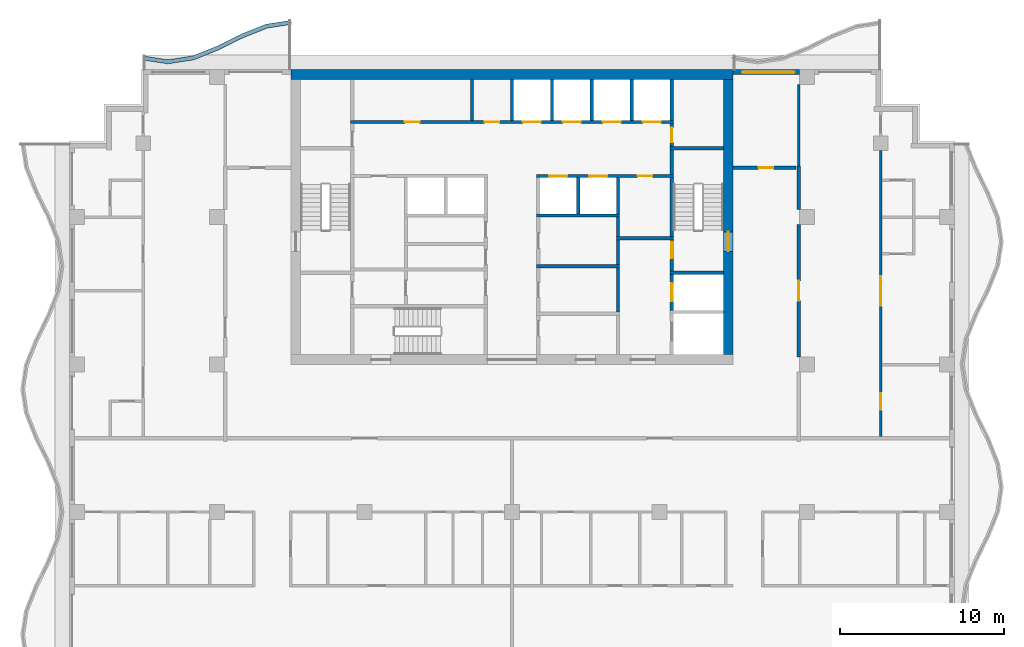
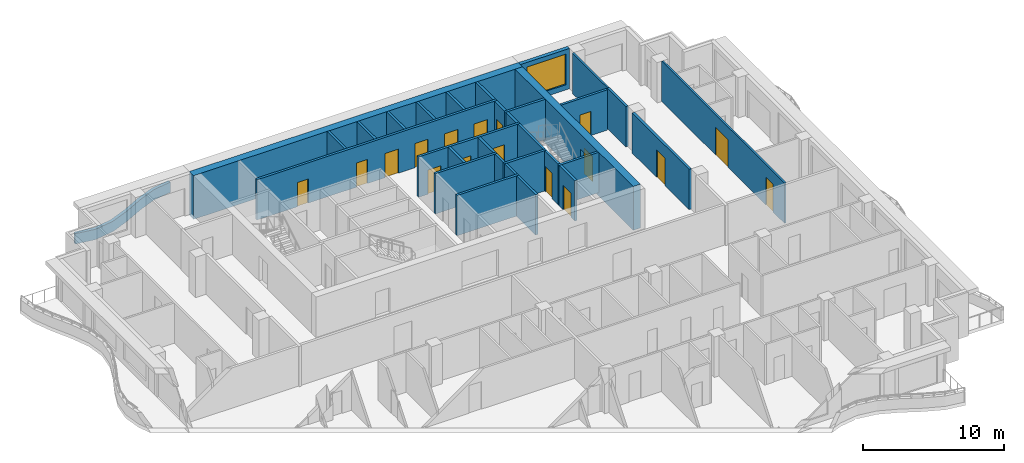
# One storey, part 6 of 11: 32 walls, 17 doors, 1 window, 18 openings.
"""IFC4 building model written with IfcOpenShell, lengths in metres."""

import ifcopenshell
import ifcopenshell.guid

model = None  # the IFC model being written
_history = None  # IfcOwnerHistory: only IFC2X3 demands one
_inside = {}  # id of a spatial element -> (the spatial element, [elements in it])
_under = {}  # id of a project, library or spatial element -> (it, [spatial elements below it])
_declared = {}  # id of a project -> (the project, [libraries it declares])
_typed = {}  # id of a type object -> (the type object, [elements of that type])
_made_of = {}  # id of a material, layer set ... -> (it, [elements and type objects made of it])


def new_model(schema):
    """Start an empty IFC model of exactly this schema.

    Asked for "IFC4X3", IfcOpenShell would pick the latest addendum, in which some entities
    have other attributes; the version numbers below select the first issue.
    IFC2X3 requires an IfcOwnerHistory on every rooted entity: one is made here for all.
    """
    global model, _history
    if schema == "IFC4X3":
        model = ifcopenshell.file(schema_version=(4, 3, 0, 0))
    else:
        model = ifcopenshell.file(schema=schema)
    _inside.clear()
    _under.clear()
    _declared.clear()
    _typed.clear()
    _made_of.clear()
    _history = None
    if model.schema == "IFC2X3":
        org = make("IfcOrganization", Name="unknown")
        user = make(
            "IfcPersonAndOrganization",
            ThePerson=make("IfcPerson", FamilyName="unknown"),
            TheOrganization=org,
        )
        app = make(
            "IfcApplication",
            ApplicationDeveloper=org,
            Version="unknown",
            ApplicationFullName="unknown",
            ApplicationIdentifier="unknown",
        )
        _history = make(
            "IfcOwnerHistory",
            OwningUser=user,
            OwningApplication=app,
            ChangeAction="ADDED",
            CreationDate=0,
        )
    return model


def make(cls, **values):
    """One entity of the class cls with the attributes given. An attribute that is None is left unset."""
    return model.create_entity(
        cls, **{name: value for name, value in values.items() if value is not None}
    )


def rooted(cls, **values):
    """An entity with a GlobalId (a new one), such as an element, a storey or a relation."""
    return make(cls, GlobalId=ifcopenshell.guid.new(), OwnerHistory=_history, **values)


def si_unit(unit_type, name, prefix=None):
    """IfcSIUnit, for example si_unit("LENGTHUNIT", "METRE", prefix="MILLI")."""
    return make("IfcSIUnit", UnitType=unit_type, Prefix=prefix, Name=name)


def assignment(units):
    """IfcUnitAssignment: the units of a project."""
    return None if units is None else make("IfcUnitAssignment", Units=units)


def point(xyz):
    """IfcCartesianPoint."""
    return None if xyz is None else make("IfcCartesianPoint", Coordinates=xyz)


def direction(xyz):
    """IfcDirection."""
    return None if xyz is None else make("IfcDirection", DirectionRatios=xyz)


def frame(location, z_axis=None, x_axis=None):
    """IfcAxis2Placement3D, a coordinate frame: its origin and axes. An axis left out is left unset."""
    return make(
        "IfcAxis2Placement3D",
        Location=point(location),
        Axis=direction(z_axis),
        RefDirection=direction(x_axis),
    )


def frame_2d(location, x_axis=None):
    """IfcAxis2Placement2D, a coordinate frame in the plane: its origin and x axis."""
    return make(
        "IfcAxis2Placement2D", Location=point(location), RefDirection=direction(x_axis)
    )


def origin():
    """The frame at (0, 0, 0) with its axes left unset."""
    return frame((0.0, 0.0, 0.0))


def place(relative_to, where):
    """IfcLocalPlacement: puts the frame where relative to a parent placement (None: the world)."""
    return make(
        "IfcLocalPlacement", PlacementRelTo=relative_to, RelativePlacement=where
    )


def context(
    kind, dimensions, precision=None, world=None, true_north=None, identifier=None
):
    """IfcGeometricRepresentationContext, for example the 3D "Model" context."""
    return make(
        "IfcGeometricRepresentationContext",
        ContextIdentifier=identifier,
        ContextType=kind,
        CoordinateSpaceDimension=dimensions,
        Precision=precision,
        WorldCoordinateSystem=world,
        TrueNorth=true_north,
    )


def subcontext(parent, identifier, kind, view, scale=None):
    """IfcGeometricRepresentationSubContext, for example "Body" below "Model"."""
    return make(
        "IfcGeometricRepresentationSubContext",
        ContextIdentifier=identifier,
        ContextType=kind,
        ParentContext=parent,
        TargetScale=scale,
        TargetView=view,
    )


def project(units=None, contexts=None):
    """IfcProject with its units and contexts."""
    return rooted(
        "IfcProject",
        Name="project",
        RepresentationContexts=contexts,
        UnitsInContext=assignment(units),
    )


def spatial(cls, under=None, at=None, **own):
    """A site, building, storey or space (cls), placed at a placement, below another one or the project."""
    s = rooted(cls, ObjectPlacement=at, **own)
    if under is not None:
        _under.setdefault(under.id(), (under, []))[1].append(s)
    return s


def polyline(points):
    """IfcPolyline through the points."""
    return make("IfcPolyline", Points=[point(p) for p in points])


def profile(cls, at=None, kind="AREA", **sizes):
    """A parametric profile (cls). Its sizes go by their IFC names, for example OverallWidth=200.0."""
    return make(cls, ProfileType=kind, Position=at, **sizes)


def rectangle(**sizes):
    """IfcRectangleProfileDef."""
    return profile("IfcRectangleProfileDef", **sizes)


def outline(outer, holes=None, kind="AREA"):
    """IfcArbitraryClosedProfileDef: a profile drawn as a closed curve; with holes, ...WithVoids."""
    if holes is None:
        return make("IfcArbitraryClosedProfileDef", ProfileType=kind, OuterCurve=outer)
    return make(
        "IfcArbitraryProfileDefWithVoids",
        ProfileType=kind,
        OuterCurve=outer,
        InnerCurves=holes,
    )


def extrude(swept, where, along, depth):
    """IfcExtrudedAreaSolid: the profile swept, set in the frame where, extruded along a direction by depth."""
    return make(
        "IfcExtrudedAreaSolid",
        SweptArea=swept,
        Position=where,
        ExtrudedDirection=direction(along),
        Depth=depth,
    )


def shape(context_of_items, identifier, shape_type, items):
    """IfcShapeRepresentation: the items that make up one representation, for example the "Body"."""
    return make(
        "IfcShapeRepresentation",
        ContextOfItems=context_of_items,
        RepresentationIdentifier=identifier,
        RepresentationType=shape_type,
        Items=items,
    )


def material(Name=None, Category=None):
    """IfcMaterial."""
    return make("IfcMaterial", Name=Name, Category=Category)


def layer(
    of_material, thickness, ventilated=None, Name=None, Category=None, Priority=None
):
    """IfcMaterialLayer: one layer of a wall or slab, of a material (None: an air gap)."""
    return make(
        "IfcMaterialLayer",
        Material=of_material,
        LayerThickness=thickness,
        IsVentilated=ventilated,
        Name=Name,
        Category=Category,
        Priority=Priority,
    )


def layer_set(layers, Name=None):
    """IfcMaterialLayerSet."""
    return make("IfcMaterialLayerSet", MaterialLayers=layers, LayerSetName=Name)


def made_of(thing, what):
    """Note that an element or type object is made of a material, layer set ...; save() writes the relation."""
    if what is not None:
        _made_of.setdefault(what.id(), (what, []))[1].append(thing)
    return thing


def type_object(cls, material=None, **own):
    """A type object (cls), such as IfcWallType, which elements share."""
    return made_of(rooted(cls, **own), material)


def element(
    cls,
    number,
    at=None,
    inside=None,
    cuts=None,
    type_object=None,
    material=None,
    context=None,
    identifier="Body",
    shape_type=None,
    held_by="IfcProductDefinitionShape",
    body=None,
    shapes=None,
    **own,
):
    """One element of the class cls, such as IfcWall. Its Tag is "e" and its number.

    at: its placement. inside: the storey or other place that contains it. cuts: it is an
    opening in that element (IfcRelVoidsElement). A single representation is given by context,
    identifier, shape_type and body (its items); several are given by shapes. held_by: the class
    of the entity that holds the representations. save() writes the other relations.
    """
    e = rooted(cls, Tag="e%d" % number, ObjectPlacement=at, **own)
    if body is not None:
        shapes = [shape(context, identifier, shape_type, body)]
    if shapes is not None:
        e.Representation = make(held_by, Representations=shapes)
    if inside is not None:
        _inside.setdefault(inside.id(), (inside, []))[1].append(e)
    if cuts is not None:
        rooted(
            "IfcRelVoidsElement", RelatingBuildingElement=cuts, RelatedOpeningElement=e
        )
    if type_object is not None:
        _typed.setdefault(type_object.id(), (type_object, []))[1].append(e)
    return made_of(e, material)


def fill(opening, filler):
    """IfcRelFillsElement: the door or window that sits in an opening."""
    return rooted(
        "IfcRelFillsElement",
        RelatingOpeningElement=opening,
        RelatedBuildingElement=filler,
    )


def aggregate(whole, parts):
    """IfcRelAggregates: a whole, such as a stair, and the parts it consists of."""
    return rooted("IfcRelAggregates", RelatingObject=whole, RelatedObjects=parts)


def save(model, path):
    """Write the relations noted so far, then the file.

    IfcRelAggregates (storeys below a building ...), IfcRelContainedInSpatialStructure (elements
    in a storey), IfcRelDefinesByType, IfcRelAssociatesMaterial and IfcRelDeclares: one each for
    every whole, place, type object, material and project.
    """
    for whole, parts in _under.values():
        aggregate(whole, parts)
    for where, things in _inside.values():
        rooted(
            "IfcRelContainedInSpatialStructure",
            RelatedElements=things,
            RelatingStructure=where,
        )
    for kind, things in _typed.values():
        rooted("IfcRelDefinesByType", RelatedObjects=things, RelatingType=kind)
    for what, things in _made_of.values():
        rooted("IfcRelAssociatesMaterial", RelatedObjects=things, RelatingMaterial=what)
    for by, libraries in _declared.values():
        rooted("IfcRelDeclares", RelatingContext=by, RelatedDefinitions=libraries)
    model.write(path)


model = new_model("IFC4")

# Units and contexts
model_context = context("Model", 3, precision=1e-05, world=origin(), true_north=direction((0.0, 1.0)))
body_context = subcontext(model_context, "Body", "Model", "MODEL_VIEW")
ifc_project = project(units=[si_unit("LENGTHUNIT", "METRE"), si_unit("AREAUNIT", "SQUARE_METRE"), si_unit("VOLUMEUNIT", "CUBIC_METRE"), si_unit("PLANEANGLEUNIT", "RADIAN"), si_unit("MASSUNIT", "GRAM", prefix="KILO")], contexts=[model_context])

# Site, building, storey
site_placement = place(None, origin())
site = spatial("IfcSite", under=ifc_project, at=site_placement, CompositionType="ELEMENT")
building_placement = place(site_placement, origin())
building = spatial("IfcBuilding", under=site, at=building_placement, Name="Orbiselva Terraces", CompositionType="ELEMENT")
storey_placement = place(building_placement, frame((0.0, 0.0, 280.6)))
storey = spatial("IfcBuildingStorey", under=building, at=storey_placement, Name="L71", CompositionType="ELEMENT", Elevation=280.6)

# Wall, opening, door
ifc_material_1 = material(Name="Concrete C80/95", Category="concrete")
ifc_layer_1 = layer(ifc_material_1, 0.6)
ifc_layer_set_1 = layer_set([ifc_layer_1], Name="Concrete C80/95")
wall_type_1 = type_object("IfcWallType", Name="CORE WALL 600", PredefinedType="SHEAR", material=ifc_layer_set_1)
wall_1_placement = place(storey_placement, frame((13.2, 5.1, -0.3), z_axis=(0.0, 0.0, 1.0), x_axis=(0.0, 1.0, 0.0)))
wall_1 = element("IfcWall", 1, at=wall_1_placement, inside=storey, type_object=wall_type_1, Name="Core wall L71 east", PredefinedType="SHEAR", context=body_context, shape_type="SweptSolid", body=[
    extrude(rectangle(XDim=16.8, YDim=0.6, at=frame_2d((8.4, 0.0))), origin(), (0.0, 0.0, 1.0), 3.8),
])
opening_1_placement = place(wall_1_placement, frame((6.3, 0.0, 0.3)))
opening_1 = element("IfcOpeningElement", 2, at=opening_1_placement, cuts=wall_1, Name="Opening DS1200", PredefinedType="OPENING", context=body_context, shape_type="SweptSolid", body=[
    extrude(rectangle(XDim=1.2, YDim=2.2, at=frame_2d((0.6, 1.1))), frame((0.0, 0.31, 0.0), z_axis=(0.0, -1.0, 0.0), x_axis=(1.0, 0.0, 0.0)), (0.0, 0.0, 1.0), 0.62),
])
ifc_material_2 = material(Name="Steel fire door", Category="steel")
door_type_1 = type_object("IfcDoorType", Name="STAIR DOOR 1200", OperationType="NOTDEFINED", PredefinedType="DOOR", material=ifc_material_2)
door_1_placement = place(opening_1_placement, frame((1.2, 0.0, 0.0), z_axis=(0.0, 0.0, 1.0), x_axis=(-1.0, 0.0, 0.0)))
door_1 = element("IfcDoor", 3, at=door_1_placement, inside=storey, type_object=door_type_1, Name="L71 EXIT STAIR S2 door", OperationType="SINGLE_SWING_LEFT", OverallHeight=2.2, OverallWidth=1.2, PredefinedType="DOOR", context=body_context, shape_type="SweptSolid", body=[
    extrude(rectangle(XDim=1.2, YDim=2.2, at=frame_2d((0.6, 1.1))), frame((0.0, 0.025, 0.0), z_axis=(0.0, -1.0, 0.0), x_axis=(1.0, 0.0, 0.0)), (0.0, 0.0, 1.0), 0.05),
])
fill(opening_1, door_1)

# Walls
ifc_layer_2 = layer(ifc_material_1, 0.6)
ifc_layer_set_2 = layer_set([ifc_layer_2], Name="Concrete C80/95")
wall_type_2 = type_object("IfcWallType", Name="CORE WALL 600 EXTERNAL", PredefinedType="SHEAR", material=ifc_layer_set_2)
wall_2_placement = place(storey_placement, frame((13.5, 22.2, -0.3), z_axis=(0.0, 0.0, 1.0), x_axis=(-1.0, 0.0, 0.0)))
element("IfcWall", 4, at=wall_2_placement, inside=storey, type_object=wall_type_2, Name="Core wall L71 north", PredefinedType="SHEAR", context=body_context, shape_type="SweptSolid", body=[
    extrude(rectangle(XDim=27.0, YDim=0.6, at=frame_2d((13.5, 0.0))), origin(), (0.0, 0.0, 1.0), 3.8),
])
ifc_material_3 = material(Name="Masonry blockwork", Category="masonry")
ifc_layer_3 = layer(ifc_material_3, 0.2)
ifc_layer_set_3 = layer_set([ifc_layer_3], Name="Masonry blockwork")
wall_type_3 = type_object("IfcWallType", Name="CORE-WALL-PARTITION-200", PredefinedType="PARTITIONING", material=ifc_layer_set_3)
wall_3_placement = place(storey_placement, frame((-2.4375, 19.4, 0.0), z_axis=(0.0, 0.0, 1.0), x_axis=(0.0, 1.0, 0.0)))
element("IfcWall", 5, at=wall_3_placement, inside=storey, type_object=wall_type_3, Name="L71 core wall 20", PredefinedType="PARTITIONING", context=body_context, shape_type="SweptSolid", body=[
    extrude(rectangle(XDim=2.5, YDim=0.2, at=frame_2d((1.25, 0.0))), origin(), (0.0, 0.0, 1.0), 3.5),
])
wall_4_placement = place(storey_placement, frame((6.475, 12.3, 0.0), z_axis=(0.0, 0.0, 1.0), x_axis=(0.0, 1.0, 0.0)))
element("IfcWall", 6, at=wall_4_placement, inside=storey, type_object=wall_type_3, Name="L71 core wall 42", PredefinedType="PARTITIONING", context=body_context, shape_type="SweptSolid", body=[
    extrude(rectangle(XDim=1.2, YDim=0.2, at=frame_2d((0.6, 0.0))), origin(), (0.0, 0.0, 1.0), 3.5),
])

# Wall, opening, door
wall_5_placement = place(storey_placement, frame((9.75, 19.2, 0.0), z_axis=(0.0, 0.0, 1.0), x_axis=(0.0, -1.0, 0.0)))
wall_5 = element("IfcWall", 7, at=wall_5_placement, inside=storey, type_object=wall_type_3, Name="L71 core wall 53", PredefinedType="PARTITIONING", context=body_context, shape_type="SweptSolid", body=[
    extrude(rectangle(XDim=1.4, YDim=0.2, at=frame_2d((0.7, 0.0))), origin(), (0.0, 0.0, 1.0), 3.5),
])
opening_2_placement = place(wall_5_placement, frame((0.25, 0.0, 0.0)))
opening_2 = element("IfcOpeningElement", 8, at=opening_2_placement, cuts=wall_5, Name="Opening DR900", PredefinedType="OPENING", context=body_context, shape_type="SweptSolid", body=[
    extrude(rectangle(XDim=0.9, YDim=2.1, at=frame_2d((0.45, 1.05))), frame((0.0, 0.11, 0.0), z_axis=(0.0, -1.0, 0.0), x_axis=(1.0, 0.0, 0.0)), (0.0, 0.0, 1.0), 0.22),
])
door_type_2 = type_object("IfcDoorType", Name="ROOM DOOR 900", OperationType="NOTDEFINED", PredefinedType="DOOR", material=ifc_material_2)
door_2_placement = place(opening_2_placement, origin())
door_2 = element("IfcDoor", 9, at=door_2_placement, inside=storey, type_object=door_type_2, Name="L71 ELECTRICAL RISER ROOM door", OperationType="SINGLE_SWING_RIGHT", OverallHeight=2.1, OverallWidth=0.9, PredefinedType="DOOR", context=body_context, shape_type="SweptSolid", body=[
    extrude(rectangle(XDim=0.9, YDim=2.1, at=frame_2d((0.45, 1.05))), frame((0.0, 0.025, 0.0), z_axis=(0.0, -1.0, 0.0), x_axis=(1.0, 0.0, 0.0)), (0.0, 0.0, 1.0), 0.05),
])
fill(opening_2, door_2)

# Walls
ifc_material_4 = material(Name="Concrete C40/50", Category="concrete")
ifc_layer_4 = layer(ifc_material_4, 0.2)
ifc_layer_set_4 = layer_set([ifc_layer_4], Name="Concrete C40/50")
wall_type_4 = type_object("IfcWallType", Name="CORE-WALL-SHAFT-200", PredefinedType="PARTITIONING", material=ifc_layer_set_4)
for number, where, z_axis, x_axis, name in (
    (10, (0.0, 19.4, 0.0), (0.0, 0.0, 1.0), (0.0, 1.0, 0.0), "L71 core wall 26"),
    (11, (2.4375, 19.4, 0.0), (0.0, 0.0, 1.0), (0.0, 1.0, 0.0), "L71 core wall 35"),
):
    element("IfcWall", number, at=place(storey_placement, frame(where, z_axis=z_axis, x_axis=x_axis)), inside=storey, type_object=wall_type_4, Name=name, PredefinedType="PARTITIONING", context=body_context, shape_type="SweptSolid", body=[
        extrude(rectangle(XDim=2.5, YDim=0.2, at=frame_2d((1.25, 0.0))), origin(), (0.0, 0.0, 1.0), 3.5),
    ])
wall_6_placement = place(storey_placement, frame((4.0375, 13.7, 0.0), z_axis=(0.0, 0.0, 1.0), x_axis=(0.0, 1.0, 0.0)))
element("IfcWall", 12, at=wall_6_placement, inside=storey, type_object=wall_type_4, Name="L71 core wall 36", PredefinedType="PARTITIONING", context=body_context, shape_type="SweptSolid", body=[
    extrude(rectangle(XDim=2.2, YDim=0.2, at=frame_2d((1.1, 0.0))), origin(), (0.0, 0.0, 1.0), 3.5),
])
wall_7_placement = place(storey_placement, frame((4.875, 19.4, 0.0), z_axis=(0.0, 0.0, 1.0), x_axis=(0.0, 1.0, 0.0)))
element("IfcWall", 13, at=wall_7_placement, inside=storey, type_object=wall_type_4, Name="L71 core wall 37", PredefinedType="PARTITIONING", context=body_context, shape_type="SweptSolid", body=[
    extrude(rectangle(XDim=2.5, YDim=0.2, at=frame_2d((1.25, 0.0))), origin(), (0.0, 0.0, 1.0), 3.5),
])
wall_8_placement = place(storey_placement, frame((6.475, 13.7, 0.0), z_axis=(0.0, 0.0, 1.0), x_axis=(0.0, 1.0, 0.0)))
element("IfcWall", 14, at=wall_8_placement, inside=storey, type_object=wall_type_4, Name="L71 core wall 43", PredefinedType="PARTITIONING", context=body_context, shape_type="SweptSolid", body=[
    extrude(rectangle(XDim=2.2, YDim=0.2, at=frame_2d((1.1, 0.0))), origin(), (0.0, 0.0, 1.0), 3.5),
])
for number, where, z_axis, x_axis, name in (
    (15, (7.3125, 19.4, 0.0), (0.0, 0.0, 1.0), (0.0, 1.0, 0.0), "L71 core wall 44"),
    (16, (9.75, 19.4, 0.0), (0.0, 0.0, 1.0), (0.0, 1.0, 0.0), "L71 core wall 54"),
):
    element("IfcWall", number, at=place(storey_placement, frame(where, z_axis=z_axis, x_axis=x_axis)), inside=storey, type_object=wall_type_4, Name=name, PredefinedType="PARTITIONING", context=body_context, shape_type="SweptSolid", body=[
        extrude(rectangle(XDim=2.5, YDim=0.2, at=frame_2d((1.25, 0.0))), origin(), (0.0, 0.0, 1.0), 3.5),
    ])

# Wall, openings, doors
ifc_material_5 = material(Name="Concrete C60/75", Category="concrete")
ifc_layer_5 = layer(ifc_material_5, 0.2)
ifc_layer_set_5 = layer_set([ifc_layer_5], Name="Concrete C60/75")
wall_type_5 = type_object("IfcWallType", Name="CORE-WALL-SHEAR-200", PredefinedType="SHEAR", material=ifc_layer_set_5)
wall_9_placement = place(storey_placement, frame((-9.85, 19.3, 0.0), z_axis=(0.0, 0.0, 1.0), x_axis=(1.0, 0.0, 0.0)))
wall_9 = element("IfcWall", 17, at=wall_9_placement, inside=storey, type_object=wall_type_5, Name="L71 core wall 11", PredefinedType="SHEAR", context=body_context, shape_type="SweptSolid", body=[
    extrude(rectangle(XDim=19.7, YDim=0.2, at=frame_2d((9.85, 0.0))), origin(), (0.0, 0.0, 1.0), 3.5),
])
opening_3_placement = place(wall_9_placement, frame((10.51875, 0.0, 0.0)))
opening_3 = element("IfcOpeningElement", 18, at=opening_3_placement, cuts=wall_9, Name="Opening LD-HR1", PredefinedType="OPENING", context=body_context, shape_type="SweptSolid", body=[
    extrude(rectangle(XDim=1.1, YDim=2.1, at=frame_2d((0.55, 1.05))), frame((0.0, 0.11, 0.0), z_axis=(0.0, -1.0, 0.0), x_axis=(1.0, 0.0, 0.0)), (0.0, 0.0, 1.0), 0.22),
])
opening_4_placement = place(wall_9_placement, frame((12.95625, 0.0, 0.0)))
opening_4 = element("IfcOpeningElement", 19, at=opening_4_placement, cuts=wall_9, Name="Opening LD-HR2", PredefinedType="OPENING", context=body_context, shape_type="SweptSolid", body=[
    extrude(rectangle(XDim=1.1, YDim=2.1, at=frame_2d((0.55, 1.05))), frame((0.0, 0.11, 0.0), z_axis=(0.0, -1.0, 0.0), x_axis=(1.0, 0.0, 0.0)), (0.0, 0.0, 1.0), 0.22),
])
opening_5_placement = place(wall_9_placement, frame((15.39375, 0.0, 0.0)))
opening_5 = element("IfcOpeningElement", 20, at=opening_5_placement, cuts=wall_9, Name="Opening LD-HR3", PredefinedType="OPENING", context=body_context, shape_type="SweptSolid", body=[
    extrude(rectangle(XDim=1.1, YDim=2.1, at=frame_2d((0.55, 1.05))), frame((0.0, 0.11, 0.0), z_axis=(0.0, -1.0, 0.0), x_axis=(1.0, 0.0, 0.0)), (0.0, 0.0, 1.0), 0.22),
])
opening_6_placement = place(wall_9_placement, frame((17.83125, 0.0, 0.0)))
opening_6 = element("IfcOpeningElement", 21, at=opening_6_placement, cuts=wall_9, Name="Opening LD-HR4", PredefinedType="OPENING", context=body_context, shape_type="SweptSolid", body=[
    extrude(rectangle(XDim=1.1, YDim=2.1, at=frame_2d((0.55, 1.05))), frame((0.0, 0.11, 0.0), z_axis=(0.0, -1.0, 0.0), x_axis=(1.0, 0.0, 0.0)), (0.0, 0.0, 1.0), 0.22),
])
opening_7_placement = place(wall_9_placement, frame((3.3062, 0.0, 0.0)))
opening_7 = element("IfcOpeningElement", 22, at=opening_7_placement, cuts=wall_9, Name="Opening DR900", PredefinedType="OPENING", context=body_context, shape_type="SweptSolid", body=[
    extrude(rectangle(XDim=0.9, YDim=2.1, at=frame_2d((0.45, 1.05))), frame((0.0, 0.11, 0.0), z_axis=(0.0, -1.0, 0.0), x_axis=(1.0, 0.0, 0.0)), (0.0, 0.0, 1.0), 0.22),
])
opening_8_placement = place(wall_9_placement, frame((8.1812, 0.0, 0.0)))
opening_8 = element("IfcOpeningElement", 23, at=opening_8_placement, cuts=wall_9, Name="Opening DR900", PredefinedType="OPENING", context=body_context, shape_type="SweptSolid", body=[
    extrude(rectangle(XDim=0.9, YDim=2.1, at=frame_2d((0.45, 1.05))), frame((0.0, 0.11, 0.0), z_axis=(0.0, -1.0, 0.0), x_axis=(1.0, 0.0, 0.0)), (0.0, 0.0, 1.0), 0.22),
])
ifc_material_6 = material(Name="Stainless steel landing door", Category="steel")
door_type_3 = type_object("IfcDoorType", Name="LANDING DOOR 1100", OperationType="SLIDING_TO_LEFT", PredefinedType="DOOR", material=ifc_material_6)
door_3_placement = place(opening_3_placement, origin())
door_3 = element("IfcDoor", 24, at=door_3_placement, inside=storey, type_object=door_type_3, Name="L71 landing door HR1", OperationType="SLIDING_TO_RIGHT", OverallHeight=2.1, OverallWidth=1.1, PredefinedType="DOOR", context=body_context, shape_type="SweptSolid", body=[
    extrude(rectangle(XDim=1.1, YDim=2.1, at=frame_2d((0.55, 1.05))), frame((0.0, 0.025, 0.0), z_axis=(0.0, -1.0, 0.0), x_axis=(1.0, 0.0, 0.0)), (0.0, 0.0, 1.0), 0.05),
])
fill(opening_3, door_3)
door_4_placement = place(opening_4_placement, origin())
door_4 = element("IfcDoor", 25, at=door_4_placement, inside=storey, type_object=door_type_3, Name="L71 landing door HR2", OperationType="SLIDING_TO_RIGHT", OverallHeight=2.1, OverallWidth=1.1, PredefinedType="DOOR", context=body_context, shape_type="SweptSolid", body=[
    extrude(rectangle(XDim=1.1, YDim=2.1, at=frame_2d((0.55, 1.05))), frame((0.0, 0.025, 0.0), z_axis=(0.0, -1.0, 0.0), x_axis=(1.0, 0.0, 0.0)), (0.0, 0.0, 1.0), 0.05),
])
fill(opening_4, door_4)
door_5_placement = place(opening_5_placement, origin())
door_5 = element("IfcDoor", 26, at=door_5_placement, inside=storey, type_object=door_type_3, Name="L71 landing door HR3", OperationType="SLIDING_TO_RIGHT", OverallHeight=2.1, OverallWidth=1.1, PredefinedType="DOOR", context=body_context, shape_type="SweptSolid", body=[
    extrude(rectangle(XDim=1.1, YDim=2.1, at=frame_2d((0.55, 1.05))), frame((0.0, 0.025, 0.0), z_axis=(0.0, -1.0, 0.0), x_axis=(1.0, 0.0, 0.0)), (0.0, 0.0, 1.0), 0.05),
])
fill(opening_5, door_5)
door_6_placement = place(opening_6_placement, origin())
door_6 = element("IfcDoor", 27, at=door_6_placement, inside=storey, type_object=door_type_3, Name="L71 landing door HR4", OperationType="SLIDING_TO_RIGHT", OverallHeight=2.1, OverallWidth=1.1, PredefinedType="DOOR", context=body_context, shape_type="SweptSolid", body=[
    extrude(rectangle(XDim=1.1, YDim=2.1, at=frame_2d((0.55, 1.05))), frame((0.0, 0.025, 0.0), z_axis=(0.0, -1.0, 0.0), x_axis=(1.0, 0.0, 0.0)), (0.0, 0.0, 1.0), 0.05),
])
fill(opening_6, door_6)
door_7_placement = place(opening_7_placement, origin())
door_7 = element("IfcDoor", 28, at=door_7_placement, inside=storey, type_object=door_type_2, Name="L71 HOUSEKEEPING door", OperationType="SINGLE_SWING_LEFT", OverallHeight=2.1, OverallWidth=0.9, PredefinedType="DOOR", context=body_context, shape_type="SweptSolid", body=[
    extrude(rectangle(XDim=0.9, YDim=2.1, at=frame_2d((0.45, 1.05))), frame((0.0, 0.025, 0.0), z_axis=(0.0, -1.0, 0.0), x_axis=(1.0, 0.0, 0.0)), (0.0, 0.0, 1.0), 0.05),
])
fill(opening_7, door_7)
door_8_placement = place(opening_8_placement, origin())
door_8 = element("IfcDoor", 29, at=door_8_placement, inside=storey, type_object=door_type_2, Name="L71 WC door", OperationType="SINGLE_SWING_LEFT", OverallHeight=2.1, OverallWidth=0.9, PredefinedType="DOOR", context=body_context, shape_type="SweptSolid", body=[
    extrude(rectangle(XDim=0.9, YDim=2.1, at=frame_2d((0.45, 1.05))), frame((0.0, 0.025, 0.0), z_axis=(0.0, -1.0, 0.0), x_axis=(1.0, 0.0, 0.0)), (0.0, 0.0, 1.0), 0.05),
])
fill(opening_8, door_8)

# Walls
for number, where, z_axis, x_axis, name in (
    (30, (1.5, 10.5, 0.0), (0.0, 0.0, 1.0), (1.0, 0.0, 0.0), "L71 core wall 30"),
    (31, (1.5, 13.6, 0.0), (0.0, 0.0, 1.0), (1.0, 0.0, 0.0), "L71 core wall 32"),
):
    element("IfcWall", number, at=place(storey_placement, frame(where, z_axis=z_axis, x_axis=x_axis)), inside=storey, type_object=wall_type_5, Name=name, PredefinedType="SHEAR", context=body_context, shape_type="SweptSolid", body=[
        extrude(rectangle(XDim=5.075, YDim=0.2, at=frame_2d((2.5375, 0.0))), origin(), (0.0, 0.0, 1.0), 3.5),
    ])

# Wall, openings, doors
wall_10_placement = place(storey_placement, frame((9.85, 16.0, 0.0), z_axis=(0.0, 0.0, 1.0), x_axis=(-1.0, 0.0, 0.0)))
wall_10 = element("IfcWall", 32, at=wall_10_placement, inside=storey, type_object=wall_type_5, Name="L71 core wall 34", PredefinedType="SHEAR", context=body_context, shape_type="SweptSolid", body=[
    extrude(rectangle(XDim=8.35, YDim=0.2, at=frame_2d((4.175, 0.0))), origin(), (0.0, 0.0, 1.0), 3.5),
])
opening_9_placement = place(wall_10_placement, frame((6.48125, 0.0, 0.0)))
opening_9 = element("IfcOpeningElement", 33, at=opening_9_placement, cuts=wall_10, Name="Opening LD-HR5", PredefinedType="OPENING", context=body_context, shape_type="SweptSolid", body=[
    extrude(rectangle(XDim=1.1, YDim=2.1, at=frame_2d((0.55, 1.05))), frame((0.0, 0.11, 0.0), z_axis=(0.0, -1.0, 0.0), x_axis=(1.0, 0.0, 0.0)), (0.0, 0.0, 1.0), 0.22),
])
opening_10_placement = place(wall_10_placement, frame((4.04375, 0.0, 0.0)))
opening_10 = element("IfcOpeningElement", 34, at=opening_10_placement, cuts=wall_10, Name="Opening LD-HR6", PredefinedType="OPENING", context=body_context, shape_type="SweptSolid", body=[
    extrude(rectangle(XDim=1.1, YDim=2.1, at=frame_2d((0.55, 1.05))), frame((0.0, 0.11, 0.0), z_axis=(0.0, -1.0, 0.0), x_axis=(1.0, 0.0, 0.0)), (0.0, 0.0, 1.0), 0.22),
])
opening_11_placement = place(wall_10_placement, frame((1.2875, 0.0, 0.0)))
opening_11 = element("IfcOpeningElement", 35, at=opening_11_placement, cuts=wall_10, Name="Opening DR900", PredefinedType="OPENING", context=body_context, shape_type="SweptSolid", body=[
    extrude(rectangle(XDim=0.9, YDim=2.1, at=frame_2d((0.45, 1.05))), frame((0.0, 0.11, 0.0), z_axis=(0.0, -1.0, 0.0), x_axis=(1.0, 0.0, 0.0)), (0.0, 0.0, 1.0), 0.22),
])
door_9_placement = place(opening_9_placement, origin())
door_9 = element("IfcDoor", 36, at=door_9_placement, inside=storey, type_object=door_type_3, Name="L71 landing door HR5", OperationType="SLIDING_TO_RIGHT", OverallHeight=2.1, OverallWidth=1.1, PredefinedType="DOOR", context=body_context, shape_type="SweptSolid", body=[
    extrude(rectangle(XDim=1.1, YDim=2.1, at=frame_2d((0.55, 1.05))), frame((0.0, 0.025, 0.0), z_axis=(0.0, -1.0, 0.0), x_axis=(1.0, 0.0, 0.0)), (0.0, 0.0, 1.0), 0.05),
])
fill(opening_9, door_9)
door_10_placement = place(opening_10_placement, origin())
door_10 = element("IfcDoor", 37, at=door_10_placement, inside=storey, type_object=door_type_3, Name="L71 landing door HR6", OperationType="SLIDING_TO_RIGHT", OverallHeight=2.1, OverallWidth=1.1, PredefinedType="DOOR", context=body_context, shape_type="SweptSolid", body=[
    extrude(rectangle(XDim=1.1, YDim=2.1, at=frame_2d((0.55, 1.05))), frame((0.0, 0.025, 0.0), z_axis=(0.0, -1.0, 0.0), x_axis=(1.0, 0.0, 0.0)), (0.0, 0.0, 1.0), 0.05),
])
fill(opening_10, door_10)
door_11_placement = place(opening_11_placement, origin())
door_11 = element("IfcDoor", 38, at=door_11_placement, inside=storey, type_object=door_type_2, Name="L71 PIPE RISER ROOM door", OperationType="SINGLE_SWING_LEFT", OverallHeight=2.1, OverallWidth=0.9, PredefinedType="DOOR", context=body_context, shape_type="SweptSolid", body=[
    extrude(rectangle(XDim=0.9, YDim=2.1, at=frame_2d((0.45, 1.05))), frame((0.0, 0.025, 0.0), z_axis=(0.0, -1.0, 0.0), x_axis=(1.0, 0.0, 0.0)), (0.0, 0.0, 1.0), 0.05),
])
fill(opening_11, door_11)

# Walls
wall_11_placement = place(storey_placement, frame((6.475, 7.7, 0.0), z_axis=(0.0, 0.0, 1.0), x_axis=(0.0, 1.0, 0.0)))
element("IfcWall", 39, at=wall_11_placement, inside=storey, type_object=wall_type_5, Name="L71 core wall 39", PredefinedType="SHEAR", context=body_context, shape_type="SweptSolid", body=[
    extrude(rectangle(XDim=2.7, YDim=0.2, at=frame_2d((1.35, 0.0))), origin(), (0.0, 0.0, 1.0), 3.5),
])
wall_12_placement = place(storey_placement, frame((6.475, 10.6, 0.0), z_axis=(0.0, 0.0, 1.0), x_axis=(0.0, 1.0, 0.0)))
element("IfcWall", 40, at=wall_12_placement, inside=storey, type_object=wall_type_5, Name="L71 core wall 40", PredefinedType="SHEAR", context=body_context, shape_type="SweptSolid", body=[
    extrude(rectangle(XDim=1.5, YDim=0.2, at=frame_2d((0.75, 0.0))), origin(), (0.0, 0.0, 1.0), 3.5),
])
wall_13_placement = place(storey_placement, frame((6.375, 12.2, 0.0), z_axis=(0.0, 0.0, 1.0), x_axis=(1.0, 0.0, 0.0)))
element("IfcWall", 41, at=wall_13_placement, inside=storey, type_object=wall_type_5, Name="L71 core wall 41", PredefinedType="SHEAR", context=body_context, shape_type="SweptSolid", body=[
    extrude(rectangle(XDim=3.475, YDim=0.2, at=frame_2d((1.7375, 0.0))), origin(), (0.0, 0.0, 1.0), 3.5),
])

# Wall, opening, door
wall_14_placement = place(storey_placement, frame((9.75, 7.8, 0.0), z_axis=(0.0, 0.0, 1.0), x_axis=(0.0, 1.0, 0.0)))
wall_14 = element("IfcWall", 42, at=wall_14_placement, inside=storey, type_object=wall_type_5, Name="L71 core wall 47", PredefinedType="SHEAR", context=body_context, shape_type="SweptSolid", body=[
    extrude(rectangle(XDim=2.2, YDim=0.2, at=frame_2d((1.1, 0.0))), origin(), (0.0, 0.0, 1.0), 3.5),
])
opening_12_placement = place(wall_14_placement, frame((0.55, 0.0, 0.0)))
opening_12 = element("IfcOpeningElement", 43, at=opening_12_placement, cuts=wall_14, Name="Opening LD-FF2", PredefinedType="OPENING", context=body_context, shape_type="SweptSolid", body=[
    extrude(rectangle(XDim=1.1, YDim=2.1, at=frame_2d((0.55, 1.05))), frame((0.0, 0.11, 0.0), z_axis=(0.0, -1.0, 0.0), x_axis=(1.0, 0.0, 0.0)), (0.0, 0.0, 1.0), 0.22),
])
door_12_placement = place(opening_12_placement, origin())
door_12 = element("IfcDoor", 44, at=door_12_placement, inside=storey, type_object=door_type_3, Name="L71 landing door FF2", OperationType="SLIDING_TO_RIGHT", OverallHeight=2.1, OverallWidth=1.1, PredefinedType="DOOR", context=body_context, shape_type="SweptSolid", body=[
    extrude(rectangle(XDim=1.1, YDim=2.1, at=frame_2d((0.55, 1.05))), frame((0.0, 0.025, 0.0), z_axis=(0.0, -1.0, 0.0), x_axis=(1.0, 0.0, 0.0)), (0.0, 0.0, 1.0), 0.05),
])
fill(opening_12, door_12)

# Wall
wall_15_placement = place(storey_placement, frame((9.65, 10.1, 0.0), z_axis=(0.0, 0.0, 1.0), x_axis=(1.0, 0.0, 0.0)))
element("IfcWall", 45, at=wall_15_placement, inside=storey, type_object=wall_type_5, Name="L71 core wall 48", PredefinedType="SHEAR", context=body_context, shape_type="SweptSolid", body=[
    extrude(rectangle(XDim=3.25, YDim=0.2, at=frame_2d((1.625, 0.0))), origin(), (0.0, 0.0, 1.0), 3.5),
])

# Wall, opening, door
wall_16_placement = place(storey_placement, frame((9.75, 12.1, 0.0), z_axis=(0.0, 0.0, 1.0), x_axis=(0.0, -1.0, 0.0)))
wall_16 = element("IfcWall", 46, at=wall_16_placement, inside=storey, type_object=wall_type_5, Name="L71 core wall 49", PredefinedType="SHEAR", context=body_context, shape_type="SweptSolid", body=[
    extrude(rectangle(XDim=1.9, YDim=0.2, at=frame_2d((0.95, 0.0))), origin(), (0.0, 0.0, 1.0), 3.5),
])
opening_13_placement = place(wall_16_placement, frame((0.1, 0.0, 0.0)))
opening_13 = element("IfcOpeningElement", 47, at=opening_13_placement, cuts=wall_16, Name="Opening DS1000", PredefinedType="OPENING", context=body_context, shape_type="SweptSolid", body=[
    extrude(rectangle(XDim=1.0, YDim=2.2, at=frame_2d((0.5, 1.1))), frame((0.0, 0.11, 0.0), z_axis=(0.0, -1.0, 0.0), x_axis=(1.0, 0.0, 0.0)), (0.0, 0.0, 1.0), 0.22),
])
door_type_4 = type_object("IfcDoorType", Name="STAIR DOOR 1000", OperationType="NOTDEFINED", PredefinedType="DOOR", material=ifc_material_2)
door_13_placement = place(opening_13_placement, origin())
door_13 = element("IfcDoor", 48, at=door_13_placement, inside=storey, type_object=door_type_4, Name="L71 FIRE-FIGHTING LOBBY TO EXIT STAIR S2 door", OperationType="SINGLE_SWING_LEFT", OverallHeight=2.2, OverallWidth=1.0, PredefinedType="DOOR", context=body_context, shape_type="SweptSolid", body=[
    extrude(rectangle(XDim=1.0, YDim=2.2, at=frame_2d((0.5, 1.1))), frame((0.0, 0.025, 0.0), z_axis=(0.0, -1.0, 0.0), x_axis=(1.0, 0.0, 0.0)), (0.0, 0.0, 1.0), 0.05),
])
fill(opening_13, door_13)

# Walls
wall_17_placement = place(storey_placement, frame((9.75, 12.3, 0.0), z_axis=(0.0, 0.0, 1.0), x_axis=(0.0, 1.0, 0.0)))
element("IfcWall", 49, at=wall_17_placement, inside=storey, type_object=wall_type_5, Name="L71 core wall 50", PredefinedType="SHEAR", context=body_context, shape_type="SweptSolid", body=[
    extrude(rectangle(XDim=3.6, YDim=0.2, at=frame_2d((1.8, 0.0))), origin(), (0.0, 0.0, 1.0), 3.5),
])
wall_18_placement = place(storey_placement, frame((9.75, 16.1, 0.0), z_axis=(0.0, 0.0, 1.0), x_axis=(0.0, 1.0, 0.0)))
element("IfcWall", 50, at=wall_18_placement, inside=storey, type_object=wall_type_5, Name="L71 core wall 51", PredefinedType="SHEAR", context=body_context, shape_type="SweptSolid", body=[
    extrude(rectangle(XDim=1.5, YDim=0.2, at=frame_2d((0.75, 0.0))), origin(), (0.0, 0.0, 1.0), 3.5),
])
wall_19_placement = place(storey_placement, frame((9.65, 17.7, 0.0), z_axis=(0.0, 0.0, 1.0), x_axis=(1.0, 0.0, 0.0)))
element("IfcWall", 51, at=wall_19_placement, inside=storey, type_object=wall_type_5, Name="L71 core wall 52", PredefinedType="SHEAR", context=body_context, shape_type="SweptSolid", body=[
    extrude(rectangle(XDim=3.25, YDim=0.2, at=frame_2d((1.625, 0.0))), origin(), (0.0, 0.0, 1.0), 3.5),
])
ifc_layer_6 = layer(ifc_material_4, 0.25)
ifc_layer_set_6 = layer_set([ifc_layer_6], Name="Concrete C40/50")
wall_type_6 = type_object("IfcWallType", Name="ENV-PLANTER-250x900", PredefinedType="USERDEFINED", material=ifc_layer_set_6)
wall_20_placement = place(storey_placement, origin())
element("IfcWall", 52, at=wall_20_placement, inside=storey, type_object=wall_type_6, Name="Balcony planter L71 NW", ObjectType="PLANTER", PredefinedType="USERDEFINED", context=body_context, shape_type="SweptSolid", body=[
    extrude(outline(polyline([(-13.5, 25.5), (-15.0, 25.27082), (-16.5, 24.67082), (-18.0, 23.92918), (-19.5, 23.32918), (-21.0, 23.1), (-22.5, 23.32918), (-22.537758, 23.082048), (-21.0, 22.847099), (-19.433834, 23.086388), (-17.898017, 23.700715), (-16.398017, 24.442355), (-14.933834, 25.028028), (-13.462242, 25.252868), (-13.5, 25.5)])), origin(), (0.0, 0.0, 1.0), 0.9),
])

# Wall, opening, window
ifc_material_7 = material(Name="Terracotta cladding on masonry backing", Category="masonry")
ifc_layer_7 = layer(ifc_material_7, 0.3)
ifc_layer_set_7 = layer_set([ifc_layer_7], Name="Terracotta cladding on masonry backing")
wall_type_7 = type_object("IfcWallType", Name="ENV-WALL-TERRACOTTA-300", PredefinedType="SOLIDWALL", material=ifc_layer_set_7)
wall_21_placement = place(storey_placement, frame((13.5, 22.35, 0.0), z_axis=(0.0, 0.0, 1.0), x_axis=(1.0, 0.0, 0.0)))
wall_21 = element("IfcWall", 53, at=wall_21_placement, inside=storey, type_object=wall_type_7, Name="Facade wall L71 NE", PredefinedType="SOLIDWALL", context=body_context, shape_type="SweptSolid", body=[
    extrude(rectangle(XDim=4.05, YDim=0.3, at=frame_2d((2.025, 0.0))), origin(), (0.0, 0.0, 1.0), 3.5),
])
opening_14_placement = place(wall_21_placement, frame((0.55, 0.0, 0.45)))
opening_14 = element("IfcOpeningElement", 54, at=opening_14_placement, cuts=wall_21, Name="Opening WN17", PredefinedType="OPENING", context=body_context, shape_type="SweptSolid", body=[
    extrude(rectangle(XDim=3.2, YDim=2.65, at=frame_2d((1.6, 1.325))), frame((0.0, 0.16, 0.0), z_axis=(0.0, -1.0, 0.0), x_axis=(1.0, 0.0, 0.0)), (0.0, 0.0, 1.0), 0.32),
])
ifc_material_8 = material(Name="Clear low-e glazing in aluminium frame", Category="aluminium")
window_type = type_object("IfcWindowType", Name="WINDOW 3200 X 2650 S450", PartitioningType="TRIPLE_PANEL_VERTICAL", PredefinedType="WINDOW", material=ifc_material_8)
window_placement = place(opening_14_placement, origin())
window = element("IfcWindow", 55, at=window_placement, inside=storey, type_object=window_type, Name="Window L71 NE", OverallHeight=2.65, OverallWidth=3.2, PartitioningType="SINGLE_PANEL", PredefinedType="WINDOW", context=body_context, shape_type="SweptSolid", body=[
    extrude(rectangle(XDim=3.2, YDim=2.65, at=frame_2d((1.6, 1.325))), frame((0.0, 0.03, 0.0), z_axis=(0.0, -1.0, 0.0), x_axis=(1.0, 0.0, 0.0)), (0.0, 0.0, 1.0), 0.06),
])
fill(opening_14, window)

# Wall, opening, door
ifc_material_9 = material(Name="Plasterboard on steel stud partition", Category="steel")
ifc_layer_8 = layer(ifc_material_9, 0.2)
ifc_layer_set_8 = layer_set([ifc_layer_8], Name="Plasterboard on steel stud partition")
wall_type_8 = type_object("IfcWallType", Name="UNIT-ENTRANCE-WALL-200", PredefinedType="PARTITIONING", material=ifc_layer_set_8)
wall_22_placement = place(storey_placement, frame((13.5, 16.5, 0.0), z_axis=(0.0, 0.0, 1.0), x_axis=(1.0, 0.0, 0.0)))
wall_22 = element("IfcWall", 56, at=wall_22_placement, inside=storey, type_object=wall_type_8, Name="PARTITION L71-040", PredefinedType="PARTITIONING", context=body_context, shape_type="SweptSolid", body=[
    extrude(rectangle(XDim=3.825, YDim=0.2, at=frame_2d((1.9125, 0.0))), origin(), (0.0, 0.0, 1.0), 3.5),
])
opening_15_placement = place(wall_22_placement, frame((1.55, 0.0, 0.0)))
opening_15 = element("IfcOpeningElement", 57, at=opening_15_placement, cuts=wall_22, Name="Opening Z5-D-02", PredefinedType="OPENING", context=body_context, shape_type="SweptSolid", body=[
    extrude(rectangle(XDim=0.9, YDim=2.1, at=frame_2d((0.45, 1.05))), frame((0.0, 0.11, 0.0), z_axis=(0.0, -1.0, 0.0), x_axis=(1.0, 0.0, 0.0)), (0.0, 0.0, 1.0), 0.22),
])
ifc_material_10 = material(Name="Painted timber door leaf", Category="wood")
door_type_5 = type_object("IfcDoorType", Name="SERVICE DOOR 900", OperationType="NOTDEFINED", PredefinedType="DOOR", material=ifc_material_10)
door_14_placement = place(opening_15_placement, origin())
door_14 = element("IfcDoor", 58, at=door_14_placement, inside=storey, type_object=door_type_5, Name="Z5-D-02", OperationType="SINGLE_SWING_RIGHT", OverallHeight=2.1, OverallWidth=0.9, PredefinedType="DOOR", context=body_context, shape_type="SweptSolid", body=[
    extrude(rectangle(XDim=0.9, YDim=2.1, at=frame_2d((0.45, 1.05))), frame((0.0, 0.025, 0.0), z_axis=(0.0, -1.0, 0.0), x_axis=(1.0, 0.0, 0.0)), (0.0, 0.0, 1.0), 0.05),
])
fill(opening_15, door_14)

wall_23_placement = place(storey_placement, frame((17.5, 13.05, 0.0), z_axis=(0.0, 0.0, 1.0), x_axis=(0.0, -1.0, 0.0)))
wall_23 = element("IfcWall", 59, at=wall_23_placement, inside=storey, type_object=wall_type_8, Name="PARTITION L71-082", PredefinedType="PARTITIONING", context=body_context, shape_type="SweptSolid", body=[
    extrude(rectangle(XDim=8.1, YDim=0.2, at=frame_2d((4.05, 0.0))), origin(), (0.0, 0.0, 1.0), 3.5),
])
opening_16_placement = place(wall_23_placement, frame((3.45, 0.0, 0.0)))
opening_16 = element("IfcOpeningElement", 60, at=opening_16_placement, cuts=wall_23, Name="Opening Z5-D-09", PredefinedType="OPENING", context=body_context, shape_type="SweptSolid", body=[
    extrude(rectangle(XDim=1.2, YDim=2.4, at=frame_2d((0.6, 1.2))), frame((0.0, 0.11, 0.0), z_axis=(0.0, -1.0, 0.0), x_axis=(1.0, 0.0, 0.0)), (0.0, 0.0, 1.0), 0.22),
])
door_type_6 = type_object("IfcDoorType", Name="ENTRANCE DOOR 1200", OperationType="NOTDEFINED", PredefinedType="DOOR", material=ifc_material_10)
door_15_placement = place(opening_16_placement, origin())
door_15 = element("IfcDoor", 61, at=door_15_placement, inside=storey, type_object=door_type_6, Name="Z5-D-09", OperationType="SINGLE_SWING_RIGHT", OverallHeight=2.4, OverallWidth=1.2, PredefinedType="DOOR", context=body_context, shape_type="SweptSolid", body=[
    extrude(rectangle(XDim=1.2, YDim=2.4, at=frame_2d((0.6, 1.2))), frame((0.0, 0.025, 0.0), z_axis=(0.0, -1.0, 0.0), x_axis=(1.0, 0.0, 0.0)), (0.0, 0.0, 1.0), 0.05),
])
fill(opening_16, door_15)

# Walls
wall_24_placement = place(storey_placement, frame((17.5, 13.95, 0.0), z_axis=(0.0, 0.0, 1.0), x_axis=(0.0, 1.0, 0.0)))
element("IfcWall", 62, at=wall_24_placement, inside=storey, type_object=wall_type_8, Name="PARTITION L71-083", PredefinedType="PARTITIONING", context=body_context, shape_type="SweptSolid", body=[
    extrude(rectangle(XDim=2.65, YDim=0.2, at=frame_2d((1.325, 0.0))), origin(), (0.0, 0.0, 1.0), 3.5),
])
ifc_layer_9 = layer(ifc_material_9, 0.15)
ifc_layer_set_9 = layer_set([ifc_layer_9], Name="Plasterboard on steel stud partition")
wall_type_9 = type_object("IfcWallType", Name="UNIT-PARTITION-150", PredefinedType="PARTITIONING", material=ifc_layer_set_9)
wall_25_placement = place(storey_placement, frame((17.5, 16.4, 0.0), z_axis=(0.0, 0.0, 1.0), x_axis=(0.0, 1.0, 0.0)))
element("IfcWall", 63, at=wall_25_placement, inside=storey, type_object=wall_type_9, Name="PARTITION L71-084", PredefinedType="PARTITIONING", context=body_context, shape_type="SweptSolid", body=[
    extrude(rectangle(XDim=5.2, YDim=0.15, at=frame_2d((2.6, 0.0))), origin(), (0.0, 0.0, 1.0), 3.5),
])

# Wall, openings, doors
wall_26_placement = place(storey_placement, frame((22.5, 17.55, 0.0), z_axis=(0.0, 0.0, 1.0), x_axis=(0.0, -1.0, 0.0)))
wall_26 = element("IfcWall", 64, at=wall_26_placement, inside=storey, type_object=wall_type_9, Name="PARTITION L71-088", PredefinedType="PARTITIONING", context=body_context, shape_type="SweptSolid", body=[
    extrude(rectangle(XDim=17.45, YDim=0.15, at=frame_2d((8.725, 0.0))), origin(), (0.0, 0.0, 1.0), 3.5),
])
opening_17_placement = place(wall_26_placement, frame((14.8, 0.0, 0.0)))
opening_17 = element("IfcOpeningElement", 65, at=opening_17_placement, cuts=wall_26, Name="Opening Z5-D-10", PredefinedType="OPENING", context=body_context, shape_type="SweptSolid", body=[
    extrude(rectangle(XDim=1.0, YDim=2.4, at=frame_2d((0.5, 1.2))), frame((0.0, 0.085, 0.0), z_axis=(0.0, -1.0, 0.0), x_axis=(1.0, 0.0, 0.0)), (0.0, 0.0, 1.0), 0.17),
])
opening_18_placement = place(wall_26_placement, frame((7.65, 0.0, 0.0)))
opening_18 = element("IfcOpeningElement", 66, at=opening_18_placement, cuts=wall_26, Name="Opening Z5-D-11", PredefinedType="OPENING", context=body_context, shape_type="SweptSolid", body=[
    extrude(rectangle(XDim=1.8, YDim=2.4, at=frame_2d((0.9, 1.2))), frame((0.0, 0.085, 0.0), z_axis=(0.0, -1.0, 0.0), x_axis=(1.0, 0.0, 0.0)), (0.0, 0.0, 1.0), 0.17),
])
door_type_7 = type_object("IfcDoorType", Name="DOUBLE DOOR 1800", OperationType="NOTDEFINED", PredefinedType="DOOR", material=ifc_material_10)
door_16_placement = place(opening_18_placement, origin())
door_16 = element("IfcDoor", 67, at=door_16_placement, inside=storey, type_object=door_type_7, Name="Z5-D-11", OperationType="DOUBLE_DOOR_SINGLE_SWING", OverallHeight=2.4, OverallWidth=1.8, PredefinedType="DOOR", context=body_context, shape_type="SweptSolid", body=[
    extrude(rectangle(XDim=1.8, YDim=2.4, at=frame_2d((0.9, 1.2))), frame((0.0, 0.025, 0.0), z_axis=(0.0, -1.0, 0.0), x_axis=(1.0, 0.0, 0.0)), (0.0, 0.0, 1.0), 0.05),
])
fill(opening_18, door_16)
door_type_8 = type_object("IfcDoorType", Name="ROOM DOOR 1000", OperationType="NOTDEFINED", PredefinedType="DOOR", material=ifc_material_10)
door_17_placement = place(opening_17_placement, origin())
door_17 = element("IfcDoor", 68, at=door_17_placement, inside=storey, type_object=door_type_8, Name="Z5-D-10", OperationType="SINGLE_SWING_RIGHT", OverallHeight=2.4, OverallWidth=1.0, PredefinedType="DOOR", context=body_context, shape_type="SweptSolid", body=[
    extrude(rectangle(XDim=1.0, YDim=2.4, at=frame_2d((0.5, 1.2))), frame((0.0, 0.025, 0.0), z_axis=(0.0, -1.0, 0.0), x_axis=(1.0, 0.0, 0.0)), (0.0, 0.0, 1.0), 0.05),
])
fill(opening_17, door_17)

save(model, "model.ifc")
